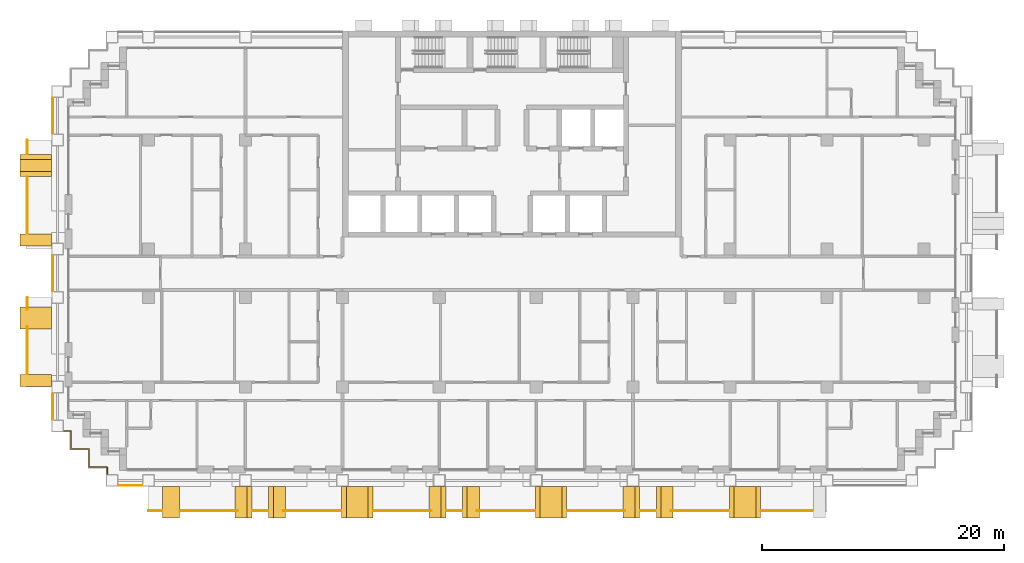
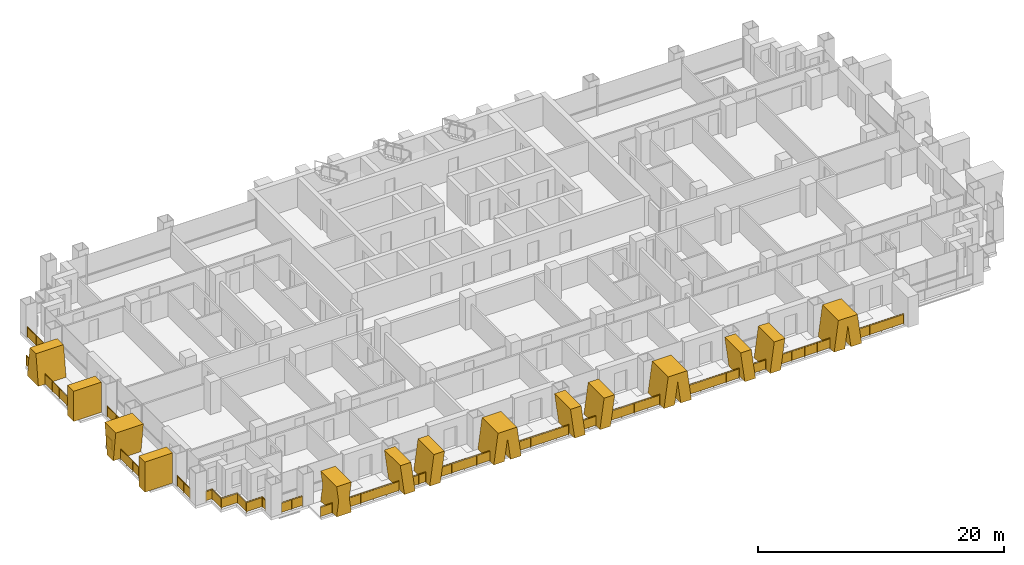
# One storey, part 15 of 18: 20 railings, 14 shading devices.
"""IFC4 building model written with IfcOpenShell, lengths in metres."""

import ifcopenshell
import ifcopenshell.guid

model = None  # the IFC model being written
_history = None  # IfcOwnerHistory: only IFC2X3 demands one
_inside = {}  # id of a spatial element -> (the spatial element, [elements in it])
_under = {}  # id of a project, library or spatial element -> (it, [spatial elements below it])
_declared = {}  # id of a project -> (the project, [libraries it declares])
_typed = {}  # id of a type object -> (the type object, [elements of that type])
_made_of = {}  # id of a material, layer set ... -> (it, [elements and type objects made of it])


def new_model(schema):
    """Start an empty IFC model of exactly this schema.

    Asked for "IFC4X3", IfcOpenShell would pick the latest addendum, in which some entities
    have other attributes; the version numbers below select the first issue.
    IFC2X3 requires an IfcOwnerHistory on every rooted entity: one is made here for all.
    """
    global model, _history
    if schema == "IFC4X3":
        model = ifcopenshell.file(schema_version=(4, 3, 0, 0))
    else:
        model = ifcopenshell.file(schema=schema)
    _inside.clear()
    _under.clear()
    _declared.clear()
    _typed.clear()
    _made_of.clear()
    _history = None
    if model.schema == "IFC2X3":
        org = make("IfcOrganization", Name="unknown")
        user = make(
            "IfcPersonAndOrganization",
            ThePerson=make("IfcPerson", FamilyName="unknown"),
            TheOrganization=org,
        )
        app = make(
            "IfcApplication",
            ApplicationDeveloper=org,
            Version="unknown",
            ApplicationFullName="unknown",
            ApplicationIdentifier="unknown",
        )
        _history = make(
            "IfcOwnerHistory",
            OwningUser=user,
            OwningApplication=app,
            ChangeAction="ADDED",
            CreationDate=0,
        )
    return model


def make(cls, **values):
    """One entity of the class cls with the attributes given. An attribute that is None is left unset."""
    return model.create_entity(
        cls, **{name: value for name, value in values.items() if value is not None}
    )


def rooted(cls, **values):
    """An entity with a GlobalId (a new one), such as an element, a storey or a relation."""
    return make(cls, GlobalId=ifcopenshell.guid.new(), OwnerHistory=_history, **values)


def si_unit(unit_type, name, prefix=None):
    """IfcSIUnit, for example si_unit("LENGTHUNIT", "METRE", prefix="MILLI")."""
    return make("IfcSIUnit", UnitType=unit_type, Prefix=prefix, Name=name)


def assignment(units):
    """IfcUnitAssignment: the units of a project."""
    return None if units is None else make("IfcUnitAssignment", Units=units)


def point(xyz):
    """IfcCartesianPoint."""
    return None if xyz is None else make("IfcCartesianPoint", Coordinates=xyz)


def direction(xyz):
    """IfcDirection."""
    return None if xyz is None else make("IfcDirection", DirectionRatios=xyz)


def frame(location, z_axis=None, x_axis=None):
    """IfcAxis2Placement3D, a coordinate frame: its origin and axes. An axis left out is left unset."""
    return make(
        "IfcAxis2Placement3D",
        Location=point(location),
        Axis=direction(z_axis),
        RefDirection=direction(x_axis),
    )


def frame_2d(location, x_axis=None):
    """IfcAxis2Placement2D, a coordinate frame in the plane: its origin and x axis."""
    return make(
        "IfcAxis2Placement2D", Location=point(location), RefDirection=direction(x_axis)
    )


def origin():
    """The frame at (0, 0, 0) with its axes left unset."""
    return frame((0.0, 0.0, 0.0))


def origin_2d():
    """The frame at (0, 0) in the plane with its x axis left unset."""
    return frame_2d((0.0, 0.0))


def place(relative_to, where):
    """IfcLocalPlacement: puts the frame where relative to a parent placement (None: the world)."""
    return make(
        "IfcLocalPlacement", PlacementRelTo=relative_to, RelativePlacement=where
    )


def context(
    kind, dimensions, precision=None, world=None, true_north=None, identifier=None
):
    """IfcGeometricRepresentationContext, for example the 3D "Model" context."""
    return make(
        "IfcGeometricRepresentationContext",
        ContextIdentifier=identifier,
        ContextType=kind,
        CoordinateSpaceDimension=dimensions,
        Precision=precision,
        WorldCoordinateSystem=world,
        TrueNorth=true_north,
    )


def subcontext(parent, identifier, kind, view, scale=None):
    """IfcGeometricRepresentationSubContext, for example "Body" below "Model"."""
    return make(
        "IfcGeometricRepresentationSubContext",
        ContextIdentifier=identifier,
        ContextType=kind,
        ParentContext=parent,
        TargetScale=scale,
        TargetView=view,
    )


def project(units=None, contexts=None):
    """IfcProject with its units and contexts."""
    return rooted(
        "IfcProject",
        Name="project",
        RepresentationContexts=contexts,
        UnitsInContext=assignment(units),
    )


def spatial(cls, under=None, at=None, **own):
    """A site, building, storey or space (cls), placed at a placement, below another one or the project."""
    s = rooted(cls, ObjectPlacement=at, **own)
    if under is not None:
        _under.setdefault(under.id(), (under, []))[1].append(s)
    return s


def polyline(points):
    """IfcPolyline through the points."""
    return make("IfcPolyline", Points=[point(p) for p in points])


def profile(cls, at=None, kind="AREA", **sizes):
    """A parametric profile (cls). Its sizes go by their IFC names, for example OverallWidth=200.0."""
    return make(cls, ProfileType=kind, Position=at, **sizes)


def rectangle(**sizes):
    """IfcRectangleProfileDef."""
    return profile("IfcRectangleProfileDef", **sizes)


def circle(**sizes):
    """IfcCircleProfileDef."""
    return profile("IfcCircleProfileDef", **sizes)


def outline(outer, holes=None, kind="AREA"):
    """IfcArbitraryClosedProfileDef: a profile drawn as a closed curve; with holes, ...WithVoids."""
    if holes is None:
        return make("IfcArbitraryClosedProfileDef", ProfileType=kind, OuterCurve=outer)
    return make(
        "IfcArbitraryProfileDefWithVoids",
        ProfileType=kind,
        OuterCurve=outer,
        InnerCurves=holes,
    )


def extrude(swept, where, along, depth):
    """IfcExtrudedAreaSolid: the profile swept, set in the frame where, extruded along a direction by depth."""
    return make(
        "IfcExtrudedAreaSolid",
        SweptArea=swept,
        Position=where,
        ExtrudedDirection=direction(along),
        Depth=depth,
    )


def shape(context_of_items, identifier, shape_type, items):
    """IfcShapeRepresentation: the items that make up one representation, for example the "Body"."""
    return make(
        "IfcShapeRepresentation",
        ContextOfItems=context_of_items,
        RepresentationIdentifier=identifier,
        RepresentationType=shape_type,
        Items=items,
    )


def material(Name=None, Category=None):
    """IfcMaterial."""
    return make("IfcMaterial", Name=Name, Category=Category)


def layer(
    of_material, thickness, ventilated=None, Name=None, Category=None, Priority=None
):
    """IfcMaterialLayer: one layer of a wall or slab, of a material (None: an air gap)."""
    return make(
        "IfcMaterialLayer",
        Material=of_material,
        LayerThickness=thickness,
        IsVentilated=ventilated,
        Name=Name,
        Category=Category,
        Priority=Priority,
    )


def layer_set(layers, Name=None):
    """IfcMaterialLayerSet."""
    return make("IfcMaterialLayerSet", MaterialLayers=layers, LayerSetName=Name)


def made_of(thing, what):
    """Note that an element or type object is made of a material, layer set ...; save() writes the relation."""
    if what is not None:
        _made_of.setdefault(what.id(), (what, []))[1].append(thing)
    return thing


def type_object(cls, material=None, **own):
    """A type object (cls), such as IfcWallType, which elements share."""
    return made_of(rooted(cls, **own), material)


def element(
    cls,
    number,
    at=None,
    inside=None,
    cuts=None,
    type_object=None,
    material=None,
    context=None,
    identifier="Body",
    shape_type=None,
    held_by="IfcProductDefinitionShape",
    body=None,
    shapes=None,
    **own,
):
    """One element of the class cls, such as IfcWall. Its Tag is "e" and its number.

    at: its placement. inside: the storey or other place that contains it. cuts: it is an
    opening in that element (IfcRelVoidsElement). A single representation is given by context,
    identifier, shape_type and body (its items); several are given by shapes. held_by: the class
    of the entity that holds the representations. save() writes the other relations.
    """
    e = rooted(cls, Tag="e%d" % number, ObjectPlacement=at, **own)
    if body is not None:
        shapes = [shape(context, identifier, shape_type, body)]
    if shapes is not None:
        e.Representation = make(held_by, Representations=shapes)
    if inside is not None:
        _inside.setdefault(inside.id(), (inside, []))[1].append(e)
    if cuts is not None:
        rooted(
            "IfcRelVoidsElement", RelatingBuildingElement=cuts, RelatedOpeningElement=e
        )
    if type_object is not None:
        _typed.setdefault(type_object.id(), (type_object, []))[1].append(e)
    return made_of(e, material)


def aggregate(whole, parts):
    """IfcRelAggregates: a whole, such as a stair, and the parts it consists of."""
    return rooted("IfcRelAggregates", RelatingObject=whole, RelatedObjects=parts)


def save(model, path):
    """Write the relations noted so far, then the file.

    IfcRelAggregates (storeys below a building ...), IfcRelContainedInSpatialStructure (elements
    in a storey), IfcRelDefinesByType, IfcRelAssociatesMaterial and IfcRelDeclares: one each for
    every whole, place, type object, material and project.
    """
    for whole, parts in _under.values():
        aggregate(whole, parts)
    for where, things in _inside.values():
        rooted(
            "IfcRelContainedInSpatialStructure",
            RelatedElements=things,
            RelatingStructure=where,
        )
    for kind, things in _typed.values():
        rooted("IfcRelDefinesByType", RelatedObjects=things, RelatingType=kind)
    for what, things in _made_of.values():
        rooted("IfcRelAssociatesMaterial", RelatedObjects=things, RelatingMaterial=what)
    for by, libraries in _declared.values():
        rooted("IfcRelDeclares", RelatingContext=by, RelatedDefinitions=libraries)
    model.write(path)


model = new_model("IFC4")

# Units and contexts
model_context = context("Model", 3, precision=1e-05, world=origin(), true_north=direction((0.0, 1.0)))
body_context = subcontext(model_context, "Body", "Model", "MODEL_VIEW")
ifc_project = project(units=[si_unit("LENGTHUNIT", "METRE"), si_unit("AREAUNIT", "SQUARE_METRE"), si_unit("VOLUMEUNIT", "CUBIC_METRE"), si_unit("PLANEANGLEUNIT", "RADIAN"), si_unit("MASSUNIT", "GRAM", prefix="KILO")], contexts=[model_context])

# Site, building, storey
site_placement = place(None, origin())
site = spatial("IfcSite", under=ifc_project, at=site_placement, CompositionType="ELEMENT")
building_placement = place(site_placement, origin())
building = spatial("IfcBuilding", under=site, at=building_placement, Name="Vidyagriha Tower", CompositionType="ELEMENT")
storey_placement = place(building_placement, frame((0.0, 0.0, 51.199951171875)))
storey = spatial("IfcBuildingStorey", under=building, at=storey_placement, Name="L13", CompositionType="ELEMENT", Elevation=51.199951171875)

# Railings
ifc_material_1 = material(Name="Steel ASTM A500 Grade C black painted", Category="steel")
railing_type_1 = type_object("IfcRailingType", Name="Balcony guard 1100", PredefinedType="BALUSTRADE", material=ifc_material_1)
railing_1_placement = place(storey_placement, frame((-40.0, 11.0, 0.0)))
element("IfcRailing", 1, at=railing_1_placement, inside=storey, type_object=railing_type_1, Name="Balcony guard L13 R16.1-1", PredefinedType="BALUSTRADE", context=body_context, shape_type="SweptSolid", body=[
    extrude(circle(Radius=0.02490234375, at=origin_2d()), frame((0.0, 0.0, 1.0751953125), z_axis=(0.0, -1.0, 0.0), x_axis=(1.0, 0.0, 0.0)), (0.0, 0.0, 1.0), 1.14990234375),
    extrude(circle(Radius=0.02001953125, at=origin_2d()), origin(), (0.0, 0.0, 1.0), 1.050048828125),
    extrude(circle(Radius=0.02001953125, at=origin_2d()), frame((0.0, -1.14990234375, 0.0)), (0.0, 0.0, 1.0), 1.050048828125),
    extrude(rectangle(XDim=0.010009765625, YDim=0.900146484375, at=origin_2d()), frame((0.0, 0.0, 0.550048828125), z_axis=(0.0, -1.0, 0.0), x_axis=(1.0, 0.0, 0.0)), (0.0, 0.0, 1.0), 1.14990234375),
])
railing_2_placement = place(storey_placement, frame((-40.0, 7.949951171875, 0.0)))
element("IfcRailing", 2, at=railing_2_placement, inside=storey, type_object=railing_type_1, Name="Balcony guard L13 R16.1-2", PredefinedType="BALUSTRADE", context=body_context, shape_type="SweptSolid", body=[
    extrude(circle(Radius=0.02490234375, at=origin_2d()), frame((0.0, 0.0, 1.0751953125), z_axis=(0.0, -1.0, 0.0), x_axis=(1.0, 0.0, 0.0)), (0.0, 0.0, 1.0), 4.64990234375),
    extrude(circle(Radius=0.02001953125, at=origin_2d()), origin(), (0.0, 0.0, 1.0), 1.050048828125),
    extrude(circle(Radius=0.02001953125, at=origin_2d()), frame((0.0, -1.16259765625, 0.0)), (0.0, 0.0, 1.0), 1.050048828125),
    extrude(circle(Radius=0.02001953125, at=origin_2d()), frame((0.0, -2.324951171875, 0.0)), (0.0, 0.0, 1.0), 1.050048828125),
    extrude(circle(Radius=0.02001953125, at=origin_2d()), frame((0.0, -3.4873046875, 0.0)), (0.0, 0.0, 1.0), 1.050048828125),
    extrude(circle(Radius=0.02001953125, at=origin_2d()), frame((0.0, -4.64990234375, 0.0)), (0.0, 0.0, 1.0), 1.050048828125),
    extrude(rectangle(XDim=0.010009765625, YDim=0.900146484375, at=origin_2d()), frame((0.0, 0.0, 0.550048828125), z_axis=(0.0, -1.0, 0.0), x_axis=(1.0, 0.0, 0.0)), (0.0, 0.0, 1.0), 4.64990234375),
])
railing_3_placement = place(storey_placement, frame((-40.0, -2.0, 0.0)))
element("IfcRailing", 3, at=railing_3_placement, inside=storey, type_object=railing_type_1, Name="Balcony guard L13 R16.2-1", PredefinedType="BALUSTRADE", context=body_context, shape_type="SweptSolid", body=[
    extrude(circle(Radius=0.02490234375, at=origin_2d()), frame((0.0, 0.0, 1.0751953125), z_axis=(0.0, -1.0, 0.0), x_axis=(1.0, 0.0, 0.0)), (0.0, 0.0, 1.0), 0.99658203125),
    extrude(circle(Radius=0.02001953125, at=origin_2d()), origin(), (0.0, 0.0, 1.0), 1.050048828125),
    extrude(circle(Radius=0.02001953125, at=origin_2d()), frame((0.0, -0.99658203125, 0.0)), (0.0, 0.0, 1.0), 1.050048828125),
    extrude(rectangle(XDim=0.010009765625, YDim=0.900146484375, at=origin_2d()), frame((0.0, 0.0, 0.550048828125), z_axis=(0.0, -1.0, 0.0), x_axis=(1.0, 0.0, 0.0)), (0.0, 0.0, 1.0), 0.99658203125),
])
railing_4_placement = place(storey_placement, frame((-40.0, -4.4033203125, 0.0)))
element("IfcRailing", 4, at=railing_4_placement, inside=storey, type_object=railing_type_1, Name="Balcony guard L13 R16.2-2", PredefinedType="BALUSTRADE", context=body_context, shape_type="SweptSolid", body=[
    extrude(circle(Radius=0.02490234375, at=origin_2d()), frame((0.0, 0.0, 1.0751953125), z_axis=(0.0, -1.0, 0.0), x_axis=(1.0, 0.0, 0.0)), (0.0, 0.0, 1.0), 3.896728515625),
    extrude(circle(Radius=0.02001953125, at=origin_2d()), origin(), (0.0, 0.0, 1.0), 1.050048828125),
    extrude(circle(Radius=0.02001953125, at=origin_2d()), frame((0.0, -0.97412109375, 0.0)), (0.0, 0.0, 1.0), 1.050048828125),
    extrude(circle(Radius=0.02001953125, at=origin_2d()), frame((0.0, -1.9482421875, 0.0)), (0.0, 0.0, 1.0), 1.050048828125),
    extrude(circle(Radius=0.02001953125, at=origin_2d()), frame((0.0, -2.922607421875, 0.0)), (0.0, 0.0, 1.0), 1.050048828125),
    extrude(circle(Radius=0.02001953125, at=origin_2d()), frame((0.0, -3.896728515625, 0.0)), (0.0, 0.0, 1.0), 1.050048828125),
    extrude(rectangle(XDim=0.010009765625, YDim=0.900146484375, at=origin_2d()), frame((0.0, 0.0, 0.550048828125), z_axis=(0.0, -1.0, 0.0), x_axis=(1.0, 0.0, 0.0)), (0.0, 0.0, 1.0), 3.896728515625),
])
railing_5_placement = place(storey_placement, frame((-30.0, -19.60009765625, 0.0)))
element("IfcRailing", 5, at=railing_5_placement, inside=storey, type_object=railing_type_1, Name="Balcony guard L13 R23.1-1", PredefinedType="BALUSTRADE", context=body_context, shape_type="SweptSolid", body=[
    extrude(circle(Radius=0.02490234375, at=origin_2d()), frame((0.0, 0.0, 1.0751953125), z_axis=(1.0, 0.0, 0.0), x_axis=(0.0, 1.0, 0.0)), (0.0, 0.0, 1.0), 1.107177734375),
    extrude(circle(Radius=0.02001953125, at=origin_2d()), origin(), (0.0, 0.0, 1.0), 1.050048828125),
    extrude(circle(Radius=0.02001953125, at=origin_2d()), frame((1.107177734375, 0.0, 0.0)), (0.0, 0.0, 1.0), 1.050048828125),
    extrude(rectangle(XDim=0.010009765625, YDim=0.900146484375, at=origin_2d()), frame((0.0, 0.0, 0.550048828125), z_axis=(1.0, 0.0, 0.0), x_axis=(0.0, 1.0, 0.0)), (0.0, 0.0, 1.0), 1.107177734375),
])
railing_6_placement = place(storey_placement, frame((-27.406982421875, -19.60009765625, 0.0)))
element("IfcRailing", 6, at=railing_6_placement, inside=storey, type_object=railing_type_1, Name="Balcony guard L13 R23.1-2", PredefinedType="BALUSTRADE", context=body_context, shape_type="SweptSolid", body=[
    extrude(circle(Radius=0.02490234375, at=origin_2d()), frame((0.0, 0.0, 1.0751953125), z_axis=(1.0, 0.0, 0.0), x_axis=(0.0, 1.0, 0.0)), (0.0, 0.0, 1.0), 4.74560546875),
    extrude(circle(Radius=0.02001953125, at=origin_2d()), origin(), (0.0, 0.0, 1.0), 1.050048828125),
    extrude(circle(Radius=0.02001953125, at=origin_2d()), frame((1.1865234375, 0.0, 0.0)), (0.0, 0.0, 1.0), 1.050048828125),
    extrude(circle(Radius=0.02001953125, at=origin_2d()), frame((2.372802734375, 0.0, 0.0)), (0.0, 0.0, 1.0), 1.050048828125),
    extrude(circle(Radius=0.02001953125, at=origin_2d()), frame((3.55908203125, 0.0, 0.0)), (0.0, 0.0, 1.0), 1.050048828125),
    extrude(circle(Radius=0.02001953125, at=origin_2d()), frame((4.74560546875, 0.0, 0.0)), (0.0, 0.0, 1.0), 1.050048828125),
    extrude(rectangle(XDim=0.010009765625, YDim=0.900146484375, at=origin_2d()), frame((0.0, 0.0, 0.550048828125), z_axis=(1.0, 0.0, 0.0), x_axis=(0.0, 1.0, 0.0)), (0.0, 0.0, 1.0), 4.74560546875),
])
railing_7_placement = place(storey_placement, frame((-21.409912109375, -19.60009765625, 0.0)))
element("IfcRailing", 7, at=railing_7_placement, inside=storey, type_object=railing_type_1, Name="Balcony guard L13 R23.1-3", PredefinedType="BALUSTRADE", context=body_context, shape_type="SweptSolid", body=[
    extrude(circle(Radius=0.02490234375, at=origin_2d()), frame((0.0, 0.0, 1.0751953125), z_axis=(1.0, 0.0, 0.0), x_axis=(0.0, 1.0, 0.0)), (0.0, 0.0, 1.0), 1.27001953125),
    extrude(circle(Radius=0.02001953125, at=origin_2d()), origin(), (0.0, 0.0, 1.0), 1.050048828125),
    extrude(circle(Radius=0.02001953125, at=origin_2d()), frame((0.635009765625, 0.0, 0.0)), (0.0, 0.0, 1.0), 1.050048828125),
    extrude(circle(Radius=0.02001953125, at=origin_2d()), frame((1.27001953125, 0.0, 0.0)), (0.0, 0.0, 1.0), 1.050048828125),
    extrude(rectangle(XDim=0.010009765625, YDim=0.900146484375, at=origin_2d()), frame((0.0, 0.0, 0.550048828125), z_axis=(1.0, 0.0, 0.0), x_axis=(0.0, 1.0, 0.0)), (0.0, 0.0, 1.0), 1.27001953125),
])
for number, where, name in (
    (8, (-18.888671875, -19.60009765625, 0.0), "Balcony guard L13 R23.1-4"),
    (9, (-11.43505859375, -19.60009765625, 0.0), "Balcony guard L13 R23.1-5"),
):
    element("IfcRailing", number, at=place(storey_placement, frame(where)), inside=storey, type_object=railing_type_1, Name=name, PredefinedType="BALUSTRADE", context=body_context, shape_type="SweptSolid", body=[
        extrude(circle(Radius=0.02490234375, at=origin_2d()), frame((0.0, 0.0, 1.0751953125), z_axis=(1.0, 0.0, 0.0), x_axis=(0.0, 1.0, 0.0)), (0.0, 0.0, 1.0), 4.773681640625),
        extrude(circle(Radius=0.02001953125, at=origin_2d()), origin(), (0.0, 0.0, 1.0), 1.050048828125),
        extrude(circle(Radius=0.02001953125, at=origin_2d()), frame((1.193359375, 0.0, 0.0)), (0.0, 0.0, 1.0), 1.050048828125),
        extrude(circle(Radius=0.02001953125, at=origin_2d()), frame((2.38671875, 0.0, 0.0)), (0.0, 0.0, 1.0), 1.050048828125),
        extrude(circle(Radius=0.02001953125, at=origin_2d()), frame((3.580322265625, 0.0, 0.0)), (0.0, 0.0, 1.0), 1.050048828125),
        extrude(circle(Radius=0.02001953125, at=origin_2d()), frame((4.773681640625, 0.0, 0.0)), (0.0, 0.0, 1.0), 1.050048828125),
        extrude(rectangle(XDim=0.010009765625, YDim=0.900146484375, at=origin_2d()), frame((0.0, 0.0, 0.550048828125), z_axis=(1.0, 0.0, 0.0), x_axis=(0.0, 1.0, 0.0)), (0.0, 0.0, 1.0), 4.773681640625),
    ])
railing_8_placement = place(storey_placement, frame((-5.409912109375, -19.60009765625, 0.0)))
element("IfcRailing", 10, at=railing_8_placement, inside=storey, type_object=railing_type_1, Name="Balcony guard L13 R23.1-6", PredefinedType="BALUSTRADE", context=body_context, shape_type="SweptSolid", body=[
    extrude(circle(Radius=0.02490234375, at=origin_2d()), frame((0.0, 0.0, 1.0751953125), z_axis=(1.0, 0.0, 0.0), x_axis=(0.0, 1.0, 0.0)), (0.0, 0.0, 1.0), 1.27001953125),
    extrude(circle(Radius=0.02001953125, at=origin_2d()), origin(), (0.0, 0.0, 1.0), 1.050048828125),
    extrude(circle(Radius=0.02001953125, at=origin_2d()), frame((0.635009765625, 0.0, 0.0)), (0.0, 0.0, 1.0), 1.050048828125),
    extrude(circle(Radius=0.02001953125, at=origin_2d()), frame((1.27001953125, 0.0, 0.0)), (0.0, 0.0, 1.0), 1.050048828125),
    extrude(rectangle(XDim=0.010009765625, YDim=0.900146484375, at=origin_2d()), frame((0.0, 0.0, 0.550048828125), z_axis=(1.0, 0.0, 0.0), x_axis=(0.0, 1.0, 0.0)), (0.0, 0.0, 1.0), 1.27001953125),
])
for number, where, name in (
    (11, (-2.888671875, -19.60009765625, 0.0), "Balcony guard L13 R23.1-7"),
    (12, (4.56494140625, -19.60009765625, 0.0), "Balcony guard L13 R23.1-8"),
):
    element("IfcRailing", number, at=place(storey_placement, frame(where)), inside=storey, type_object=railing_type_1, Name=name, PredefinedType="BALUSTRADE", context=body_context, shape_type="SweptSolid", body=[
        extrude(circle(Radius=0.02490234375, at=origin_2d()), frame((0.0, 0.0, 1.0751953125), z_axis=(1.0, 0.0, 0.0), x_axis=(0.0, 1.0, 0.0)), (0.0, 0.0, 1.0), 4.773681640625),
        extrude(circle(Radius=0.02001953125, at=origin_2d()), origin(), (0.0, 0.0, 1.0), 1.050048828125),
        extrude(circle(Radius=0.02001953125, at=origin_2d()), frame((1.193359375, 0.0, 0.0)), (0.0, 0.0, 1.0), 1.050048828125),
        extrude(circle(Radius=0.02001953125, at=origin_2d()), frame((2.38671875, 0.0, 0.0)), (0.0, 0.0, 1.0), 1.050048828125),
        extrude(circle(Radius=0.02001953125, at=origin_2d()), frame((3.580322265625, 0.0, 0.0)), (0.0, 0.0, 1.0), 1.050048828125),
        extrude(circle(Radius=0.02001953125, at=origin_2d()), frame((4.773681640625, 0.0, 0.0)), (0.0, 0.0, 1.0), 1.050048828125),
        extrude(rectangle(XDim=0.010009765625, YDim=0.900146484375, at=origin_2d()), frame((0.0, 0.0, 0.550048828125), z_axis=(1.0, 0.0, 0.0), x_axis=(0.0, 1.0, 0.0)), (0.0, 0.0, 1.0), 4.773681640625),
    ])
railing_9_placement = place(storey_placement, frame((10.590087890625, -19.60009765625, 0.0)))
element("IfcRailing", 13, at=railing_9_placement, inside=storey, type_object=railing_type_1, Name="Balcony guard L13 R23.1-9", PredefinedType="BALUSTRADE", context=body_context, shape_type="SweptSolid", body=[
    extrude(circle(Radius=0.02490234375, at=origin_2d()), frame((0.0, 0.0, 1.0751953125), z_axis=(1.0, 0.0, 0.0), x_axis=(0.0, 1.0, 0.0)), (0.0, 0.0, 1.0), 1.27001953125),
    extrude(circle(Radius=0.02001953125, at=origin_2d()), origin(), (0.0, 0.0, 1.0), 1.050048828125),
    extrude(circle(Radius=0.02001953125, at=origin_2d()), frame((0.635009765625, 0.0, 0.0)), (0.0, 0.0, 1.0), 1.050048828125),
    extrude(circle(Radius=0.02001953125, at=origin_2d()), frame((1.27001953125, 0.0, 0.0)), (0.0, 0.0, 1.0), 1.050048828125),
    extrude(rectangle(XDim=0.010009765625, YDim=0.900146484375, at=origin_2d()), frame((0.0, 0.0, 0.550048828125), z_axis=(1.0, 0.0, 0.0), x_axis=(0.0, 1.0, 0.0)), (0.0, 0.0, 1.0), 1.27001953125),
])
railing_10_placement = place(storey_placement, frame((13.111328125, -19.60009765625, 0.0)))
element("IfcRailing", 14, at=railing_10_placement, inside=storey, type_object=railing_type_1, Name="Balcony guard L13 R23.1-10", PredefinedType="BALUSTRADE", context=body_context, shape_type="SweptSolid", body=[
    extrude(circle(Radius=0.02490234375, at=origin_2d()), frame((0.0, 0.0, 1.0751953125), z_axis=(1.0, 0.0, 0.0), x_axis=(0.0, 1.0, 0.0)), (0.0, 0.0, 1.0), 4.773681640625),
    extrude(circle(Radius=0.02001953125, at=origin_2d()), origin(), (0.0, 0.0, 1.0), 1.050048828125),
    extrude(circle(Radius=0.02001953125, at=origin_2d()), frame((1.193359375, 0.0, 0.0)), (0.0, 0.0, 1.0), 1.050048828125),
    extrude(circle(Radius=0.02001953125, at=origin_2d()), frame((2.38671875, 0.0, 0.0)), (0.0, 0.0, 1.0), 1.050048828125),
    extrude(circle(Radius=0.02001953125, at=origin_2d()), frame((3.580322265625, 0.0, 0.0)), (0.0, 0.0, 1.0), 1.050048828125),
    extrude(circle(Radius=0.02001953125, at=origin_2d()), frame((4.773681640625, 0.0, 0.0)), (0.0, 0.0, 1.0), 1.050048828125),
    extrude(rectangle(XDim=0.010009765625, YDim=0.900146484375, at=origin_2d()), frame((0.0, 0.0, 0.550048828125), z_axis=(1.0, 0.0, 0.0), x_axis=(0.0, 1.0, 0.0)), (0.0, 0.0, 1.0), 4.773681640625),
])
railing_11_placement = place(storey_placement, frame((20.56494140625, -19.60009765625, 0.0)))
element("IfcRailing", 15, at=railing_11_placement, inside=storey, type_object=railing_type_1, Name="Balcony guard L13 R23.1-11", PredefinedType="BALUSTRADE", context=body_context, shape_type="SweptSolid", body=[
    extrude(circle(Radius=0.02490234375, at=origin_2d()), frame((0.0, 0.0, 1.0751953125), z_axis=(1.0, 0.0, 0.0), x_axis=(0.0, 1.0, 0.0)), (0.0, 0.0, 1.0), 4.260009765625),
    extrude(circle(Radius=0.02001953125, at=origin_2d()), origin(), (0.0, 0.0, 1.0), 1.050048828125),
    extrude(circle(Radius=0.02001953125, at=origin_2d()), frame((1.06494140625, 0.0, 0.0)), (0.0, 0.0, 1.0), 1.050048828125),
    extrude(circle(Radius=0.02001953125, at=origin_2d()), frame((2.1298828125, 0.0, 0.0)), (0.0, 0.0, 1.0), 1.050048828125),
    extrude(circle(Radius=0.02001953125, at=origin_2d()), frame((3.195068359375, 0.0, 0.0)), (0.0, 0.0, 1.0), 1.050048828125),
    extrude(circle(Radius=0.02001953125, at=origin_2d()), frame((4.260009765625, 0.0, 0.0)), (0.0, 0.0, 1.0), 1.050048828125),
    extrude(rectangle(XDim=0.010009765625, YDim=0.900146484375, at=origin_2d()), frame((0.0, 0.0, 0.550048828125), z_axis=(1.0, 0.0, 0.0), x_axis=(0.0, 1.0, 0.0)), (0.0, 0.0, 1.0), 4.260009765625),
])

# Shading devices
ifc_material_2 = material(Name="Precast concrete C40/50 with buff brick facing", Category="concrete")
ifc_layer_1 = layer(ifc_material_2, 1.0)
ifc_layer_set_1 = layer_set([ifc_layer_1], Name="Precast concrete C40/50 with buff brick facing")
shading_device_type_1 = type_object("IfcShadingDeviceType", Name="Brick-faced blade fin arm leaning 8 degrees", PredefinedType="USERDEFINED", material=ifc_layer_set_1)
shading_device_1_placement = place(storey_placement, frame((-20.090087890625, -18.89990234375, 0.0)))
element("IfcShadingDevice", 16, at=shading_device_1_placement, inside=storey, type_object=shading_device_type_1, Name="Leaning blade fin L13 R23.980a", ObjectType="BLADE FIN", PredefinedType="USERDEFINED", context=body_context, shape_type="SweptSolid", body=[
    extrude(outline(polyline([(0.0, 0.0), (1.0, 0.0), (1.39501953125, 3.0), (0.39501953125, 3.0), (0.0, 0.0)])), frame((0.0, 1.300048828125, 0.0), z_axis=(0.0, -1.0, 0.0), x_axis=(1.0, 0.0, 0.0)), (0.0, 0.0, 1.0), 2.60009765625),
])
shading_device_2_placement = place(storey_placement, frame((-22.85498046875, -18.89990234375, 0.0)))
element("IfcShadingDevice", 17, at=shading_device_2_placement, inside=storey, type_object=shading_device_type_1, Name="Leaning blade fin L13 R23.980b", ObjectType="BLADE FIN", PredefinedType="USERDEFINED", context=body_context, shape_type="SweptSolid", body=[
    extrude(outline(polyline([(0.39501953125, 0.0), (1.39501953125, 0.0), (1.0, 3.0), (0.0, 3.0), (0.39501953125, 0.0)])), frame((0.0, 1.300048828125, 0.0), z_axis=(0.0, -1.0, 0.0), x_axis=(1.0, 0.0, 0.0)), (0.0, 0.0, 1.0), 2.60009765625),
])
shading_device_3_placement = place(storey_placement, frame((-4.090087890625, -18.89990234375, 0.0)))
element("IfcShadingDevice", 18, at=shading_device_3_placement, inside=storey, type_object=shading_device_type_1, Name="Leaning blade fin L13 R23.2580a", ObjectType="BLADE FIN", PredefinedType="USERDEFINED", context=body_context, shape_type="SweptSolid", body=[
    extrude(outline(polyline([(0.0, 0.0), (1.0, 0.0), (1.39501953125, 3.0), (0.39501953125, 3.0), (0.0, 0.0)])), frame((0.0, 1.300048828125, 0.0), z_axis=(0.0, -1.0, 0.0), x_axis=(1.0, 0.0, 0.0)), (0.0, 0.0, 1.0), 2.60009765625),
])
shading_device_4_placement = place(storey_placement, frame((-6.85498046875, -18.89990234375, 0.0)))
element("IfcShadingDevice", 19, at=shading_device_4_placement, inside=storey, type_object=shading_device_type_1, Name="Leaning blade fin L13 R23.2580b", ObjectType="BLADE FIN", PredefinedType="USERDEFINED", context=body_context, shape_type="SweptSolid", body=[
    extrude(outline(polyline([(0.39501953125, 0.0), (1.39501953125, 0.0), (1.0, 3.0), (0.0, 3.0), (0.39501953125, 0.0)])), frame((0.0, 1.300048828125, 0.0), z_axis=(0.0, -1.0, 0.0), x_axis=(1.0, 0.0, 0.0)), (0.0, 0.0, 1.0), 2.60009765625),
])
shading_device_5_placement = place(storey_placement, frame((11.909912109375, -18.89990234375, 0.0)))
element("IfcShadingDevice", 20, at=shading_device_5_placement, inside=storey, type_object=shading_device_type_1, Name="Leaning blade fin L13 R23.4180a", ObjectType="BLADE FIN", PredefinedType="USERDEFINED", context=body_context, shape_type="SweptSolid", body=[
    extrude(outline(polyline([(0.0, 0.0), (1.0, 0.0), (1.39501953125, 3.0), (0.39501953125, 3.0), (0.0, 0.0)])), frame((0.0, 1.300048828125, 0.0), z_axis=(0.0, -1.0, 0.0), x_axis=(1.0, 0.0, 0.0)), (0.0, 0.0, 1.0), 2.60009765625),
])
shading_device_6_placement = place(storey_placement, frame((9.14501953125, -18.89990234375, 0.0)))
element("IfcShadingDevice", 21, at=shading_device_6_placement, inside=storey, type_object=shading_device_type_1, Name="Leaning blade fin L13 R23.4180b", ObjectType="BLADE FIN", PredefinedType="USERDEFINED", context=body_context, shape_type="SweptSolid", body=[
    extrude(outline(polyline([(0.39501953125, 0.0), (1.39501953125, 0.0), (1.0, 3.0), (0.0, 3.0), (0.39501953125, 0.0)])), frame((0.0, 1.300048828125, 0.0), z_axis=(0.0, -1.0, 0.0), x_axis=(1.0, 0.0, 0.0)), (0.0, 0.0, 1.0), 2.60009765625),
])
ifc_material_3 = material(Name="Precast concrete C40/50 with buff brick facing", Category="concrete")
ifc_layer_2 = layer(ifc_material_3, 1.0)
ifc_layer_set_2 = layer_set([ifc_layer_2], Name="Precast concrete C40/50 with buff brick facing")
shading_device_type_2 = type_object("IfcShadingDeviceType", Name="Brick-faced blade fin forking 8 degrees", PredefinedType="USERDEFINED", material=ifc_layer_set_2)
shading_device_7_placement = place(storey_placement, frame((-39.300048828125, 9.800048828125, 0.0), z_axis=(0.0, 0.0, 1.0), x_axis=(0.0, -1.0, 0.0)))
element("IfcShadingDevice", 22, at=shading_device_7_placement, inside=storey, type_object=shading_device_type_2, Name="Forked blade fin L13 R16.280a", ObjectType="BLADE FIN", PredefinedType="USERDEFINED", context=body_context, shape_type="SweptSolid", body=[
    extrude(outline(polyline([(0.0, 0.0), (1.800048828125, 0.0), (1.39990234375, 3.0), (0.39990234375, 3.0), (0.0, 0.0)])), frame((0.0, 1.300048828125, 0.0), z_axis=(0.0, -1.0, 0.0), x_axis=(1.0, 0.0, 0.0)), (0.0, 0.0, 1.0), 2.60009765625),
])
shading_device_8_placement = place(storey_placement, frame((-39.300048828125, -2.800048828125, 0.0), z_axis=(0.0, 0.0, 1.0), x_axis=(0.0, -1.0, 0.0)))
element("IfcShadingDevice", 23, at=shading_device_8_placement, inside=storey, type_object=shading_device_type_2, Name="Forked blade fin L13 R16.1580a", ObjectType="BLADE FIN", PredefinedType="USERDEFINED", context=body_context, shape_type="SweptSolid", body=[
    extrude(outline(polyline([(0.39990234375, 0.0), (1.39990234375, 0.0), (1.800048828125, 3.0), (0.0, 3.0), (0.39990234375, 0.0)])), frame((0.0, 1.300048828125, 0.0), z_axis=(0.0, -1.0, 0.0), x_axis=(1.0, 0.0, 0.0)), (0.0, 0.0, 1.0), 2.60009765625),
])
shading_device_9_placement = place(storey_placement, frame((-28.843017578125, -18.89990234375, 0.0)))
element("IfcShadingDevice", 24, at=shading_device_9_placement, inside=storey, type_object=shading_device_type_2, Name="Forked blade fin L13 R23.180a", ObjectType="BLADE FIN", PredefinedType="USERDEFINED", context=body_context, shape_type="SweptSolid", body=[
    extrude(outline(polyline([(0.0, 0.0), (1.3857421875, 0.0), (1.19287109375, 1.5), (1.3857421875, 3.0), (0.0, 3.0), (0.19287109375, 1.5), (0.0, 0.0)])), frame((0.0, 1.300048828125, 0.0), z_axis=(0.0, -1.0, 0.0), x_axis=(1.0, 0.0, 0.0)), (0.0, 0.0, 1.0), 2.60009765625),
])
for number, where, name in (
    (25, (-14.06494140625, -18.89990234375, 0.0), "Forked blade fin L13 R23.1780a"),
    (26, (1.93505859375, -18.89990234375, 0.0), "Forked blade fin L13 R23.3380a"),
    (27, (17.93505859375, -18.89990234375, 0.0), "Forked blade fin L13 R23.4980a"),
):
    element("IfcShadingDevice", number, at=place(storey_placement, frame(where)), inside=storey, type_object=shading_device_type_2, Name=name, ObjectType="BLADE FIN", PredefinedType="USERDEFINED", context=body_context, shape_type="SweptSolid", body=[
        extrude(outline(polyline([(1.0, 0.0), (1.2900390625, 2.20263671875), (1.580078125, 0.0), (2.580078125, 0.0), (2.18505859375, 3.0), (0.39501953125, 3.0), (0.0, 0.0), (1.0, 0.0)])), frame((0.0, 1.300048828125, 0.0), z_axis=(0.0, -1.0, 0.0), x_axis=(1.0, 0.0, 0.0)), (0.0, 0.0, 1.0), 2.60009765625),
    ])
ifc_material_4 = material(Name="Precast concrete C40/50 with buff brick facing", Category="concrete")
ifc_layer_3 = layer(ifc_material_4, 1.0)
ifc_layer_set_3 = layer_set([ifc_layer_3], Name="Precast concrete C40/50 with buff brick facing")
shading_device_type_3 = type_object("IfcShadingDeviceType", Name="Brick-faced blade fin stem 1000", PredefinedType="USERDEFINED", material=ifc_layer_set_3)
for number, where, z_axis, x_axis, name in (
    (28, (-39.300048828125, 3.25, 0.0), (0.0, 0.0, 1.0), (0.0, -1.0, 0.0), "Stem blade fin L13 R16.1180a"),
    (29, (-39.300048828125, -8.35009765625, 0.0), (0.0, 0.0, 1.0), (0.0, -1.0, 0.0), "Stem blade fin L13 R16.2320a"),
):
    element("IfcShadingDevice", number, at=place(storey_placement, frame(where, z_axis=z_axis, x_axis=x_axis)), inside=storey, type_object=shading_device_type_3, Name=name, ObjectType="BLADE FIN", PredefinedType="USERDEFINED", context=body_context, shape_type="SweptSolid", body=[
        extrude(outline(polyline([(0.0, 0.0), (1.0, 0.0), (1.0, 3.0), (0.0, 3.0), (0.0, 0.0)])), frame((0.0, 1.300048828125, 0.0), z_axis=(0.0, -1.0, 0.0), x_axis=(1.0, 0.0, 0.0)), (0.0, 0.0, 1.0), 2.60009765625),
    ])

# Railings
ifc_material_5 = material(Name="Steel ASTM A500 Grade C black painted", Category="steel")
railing_type_2 = type_object("IfcRailingType", Name="Gallery guard 1100", PredefinedType="GUARDRAIL", material=ifc_material_5)
railing_12_placement = place(storey_placement, frame((-37.89990234375, -12.070068359375, 0.0)))
element("IfcRailing", 30, at=railing_12_placement, inside=storey, type_object=railing_type_2, Name="Gallery guard L13 1", PredefinedType="GUARDRAIL", context=body_context, shape_type="SweptSolid", body=[
    extrude(circle(Radius=0.02490234375, at=origin_2d()), frame((0.0, 0.0, 1.0751953125), z_axis=(0.0, 1.0, 0.0), x_axis=(-1.0, 0.0, 0.0)), (0.0, 0.0, 1.0), 2.14013671875),
    extrude(circle(Radius=0.02001953125, at=origin_2d()), origin(), (0.0, 0.0, 1.0), 1.050048828125),
    extrude(circle(Radius=0.02001953125, at=origin_2d()), frame((0.0, 1.070068359375, 0.0)), (0.0, 0.0, 1.0), 1.050048828125),
    extrude(circle(Radius=0.02001953125, at=origin_2d()), frame((0.0, 2.14013671875, 0.0)), (0.0, 0.0, 1.0), 1.050048828125),
    extrude(rectangle(XDim=0.010009765625, YDim=0.900146484375, at=origin_2d()), frame((0.0, 0.0, 0.550048828125), z_axis=(0.0, 1.0, 0.0), x_axis=(-1.0, 0.0, 0.0)), (0.0, 0.0, 1.0), 2.14013671875),
])
for number, where, name in (
    (31, (-37.89990234375, -1.469970703125, 0.0), "Gallery guard L13 2"),
    (32, (-37.89990234375, 11.530029296875, 0.0), "Gallery guard L13 3"),
):
    element("IfcRailing", number, at=place(storey_placement, frame(where)), inside=storey, type_object=railing_type_2, Name=name, PredefinedType="GUARDRAIL", context=body_context, shape_type="SweptSolid", body=[
        extrude(circle(Radius=0.02490234375, at=origin_2d()), frame((0.0, 0.0, 1.0751953125), z_axis=(0.0, 1.0, 0.0), x_axis=(-1.0, 0.0, 0.0)), (0.0, 0.0, 1.0), 2.93994140625),
        extrude(circle(Radius=0.02001953125, at=origin_2d()), origin(), (0.0, 0.0, 1.0), 1.050048828125),
        extrude(circle(Radius=0.02001953125, at=origin_2d()), frame((0.0, 1.469970703125, 0.0)), (0.0, 0.0, 1.0), 1.050048828125),
        extrude(circle(Radius=0.02001953125, at=origin_2d()), frame((0.0, 2.93994140625, 0.0)), (0.0, 0.0, 1.0), 1.050048828125),
        extrude(rectangle(XDim=0.010009765625, YDim=0.900146484375, at=origin_2d()), frame((0.0, 0.0, 0.550048828125), z_axis=(0.0, 1.0, 0.0), x_axis=(-1.0, 0.0, 0.0)), (0.0, 0.0, 1.0), 2.93994140625),
    ])
railing_13_placement = place(storey_placement, frame((-33.39990234375, -16.570068359375, 0.0)))
element("IfcRailing", 33, at=railing_13_placement, inside=storey, type_object=railing_type_2, Name="Gallery guard L13 4", PredefinedType="GUARDRAIL", context=body_context, shape_type="SweptSolid", body=[
    extrude(circle(Radius=0.02490234375, at=origin_2d()), frame((0.0, 0.0, 1.0751953125), z_axis=(0.0, 1.0, 0.0), x_axis=(-1.0, 0.0, 0.0)), (0.0, 0.0, 1.0), 0.570068359375),
    extrude(circle(Radius=0.02490234375, at=origin_2d()), frame((0.0, 0.570068359375, 1.0751953125), z_axis=(-1.0, 0.0, 0.0), x_axis=(0.0, -1.0, 0.0)), (0.0, 0.0, 1.0), 1.5),
    extrude(circle(Radius=0.02490234375, at=origin_2d()), frame((-1.5, 0.570068359375, 1.0751953125), z_axis=(0.0, 1.0, 0.0), x_axis=(-1.0, 0.0, 0.0)), (0.0, 0.0, 1.0), 1.5),
    extrude(circle(Radius=0.02490234375, at=origin_2d()), frame((-1.5, 2.070068359375, 1.0751953125), z_axis=(-1.0, 0.0, 0.0), x_axis=(0.0, -1.0, 0.0)), (0.0, 0.0, 1.0), 1.5),
    extrude(circle(Radius=0.02490234375, at=origin_2d()), frame((-3.0, 2.070068359375, 1.0751953125), z_axis=(0.0, 1.0, 0.0), x_axis=(-1.0, 0.0, 0.0)), (0.0, 0.0, 1.0), 1.5),
    extrude(circle(Radius=0.02490234375, at=origin_2d()), frame((-3.0, 3.570068359375, 1.0751953125), z_axis=(-1.0, 0.0, 0.0), x_axis=(0.0, -1.0, 0.0)), (0.0, 0.0, 1.0), 0.570068359375),
    extrude(circle(Radius=0.02001953125, at=origin_2d()), origin(), (0.0, 0.0, 1.0), 1.050048828125),
    extrude(circle(Radius=0.02001953125, at=origin_2d()), frame((0.0, 0.570068359375, 0.0)), (0.0, 0.0, 1.0), 1.050048828125),
    extrude(circle(Radius=0.02001953125, at=origin_2d()), frame((-1.5, 0.570068359375, 0.0)), (0.0, 0.0, 1.0), 1.050048828125),
    extrude(circle(Radius=0.02001953125, at=origin_2d()), frame((-1.5, 2.070068359375, 0.0)), (0.0, 0.0, 1.0), 1.050048828125),
    extrude(circle(Radius=0.02001953125, at=origin_2d()), frame((-3.0, 2.070068359375, 0.0)), (0.0, 0.0, 1.0), 1.050048828125),
    extrude(circle(Radius=0.02001953125, at=origin_2d()), frame((-3.0, 3.570068359375, 0.0)), (0.0, 0.0, 1.0), 1.050048828125),
    extrude(circle(Radius=0.02001953125, at=origin_2d()), frame((-3.570068359375, 3.570068359375, 0.0)), (0.0, 0.0, 1.0), 1.050048828125),
    extrude(rectangle(XDim=0.010009765625, YDim=0.900146484375, at=origin_2d()), frame((0.0, 0.0, 0.550048828125), z_axis=(0.0, 1.0, 0.0), x_axis=(-1.0, 0.0, 0.0)), (0.0, 0.0, 1.0), 0.570068359375),
    extrude(rectangle(XDim=0.010009765625, YDim=0.900146484375, at=origin_2d()), frame((0.0, 0.570068359375, 0.550048828125), z_axis=(-1.0, 0.0, 0.0), x_axis=(0.0, -1.0, 0.0)), (0.0, 0.0, 1.0), 1.5),
    extrude(rectangle(XDim=0.010009765625, YDim=0.900146484375, at=origin_2d()), frame((-1.5, 0.570068359375, 0.550048828125), z_axis=(0.0, 1.0, 0.0), x_axis=(-1.0, 0.0, 0.0)), (0.0, 0.0, 1.0), 1.5),
    extrude(rectangle(XDim=0.010009765625, YDim=0.900146484375, at=origin_2d()), frame((-1.5, 2.070068359375, 0.550048828125), z_axis=(-1.0, 0.0, 0.0), x_axis=(0.0, -1.0, 0.0)), (0.0, 0.0, 1.0), 1.5),
    extrude(rectangle(XDim=0.010009765625, YDim=0.900146484375, at=origin_2d()), frame((-3.0, 2.070068359375, 0.550048828125), z_axis=(0.0, 1.0, 0.0), x_axis=(-1.0, 0.0, 0.0)), (0.0, 0.0, 1.0), 1.5),
    extrude(rectangle(XDim=0.010009765625, YDim=0.900146484375, at=origin_2d()), frame((-3.0, 3.570068359375, 0.550048828125), z_axis=(-1.0, 0.0, 0.0), x_axis=(0.0, -1.0, 0.0)), (0.0, 0.0, 1.0), 0.570068359375),
])
railing_14_placement = place(storey_placement, frame((-30.530029296875, -17.5, 0.0)))
element("IfcRailing", 34, at=railing_14_placement, inside=storey, type_object=railing_type_2, Name="Gallery guard L13 6", PredefinedType="GUARDRAIL", context=body_context, shape_type="SweptSolid", body=[
    extrude(circle(Radius=0.02490234375, at=origin_2d()), frame((0.0, 0.0, 1.0751953125), z_axis=(-1.0, 0.0, 0.0), x_axis=(0.0, -1.0, 0.0)), (0.0, 0.0, 1.0), 1.93994140625),
    extrude(circle(Radius=0.02001953125, at=origin_2d()), origin(), (0.0, 0.0, 1.0), 1.050048828125),
    extrude(circle(Radius=0.02001953125, at=origin_2d()), frame((-0.969970703125, 0.0, 0.0)), (0.0, 0.0, 1.0), 1.050048828125),
    extrude(circle(Radius=0.02001953125, at=origin_2d()), frame((-1.93994140625, 0.0, 0.0)), (0.0, 0.0, 1.0), 1.050048828125),
    extrude(rectangle(XDim=0.010009765625, YDim=0.900146484375, at=origin_2d()), frame((0.0, 0.0, 0.550048828125), z_axis=(-1.0, 0.0, 0.0), x_axis=(0.0, -1.0, 0.0)), (0.0, 0.0, 1.0), 1.93994140625),
])

save(model, "model.ifc")
